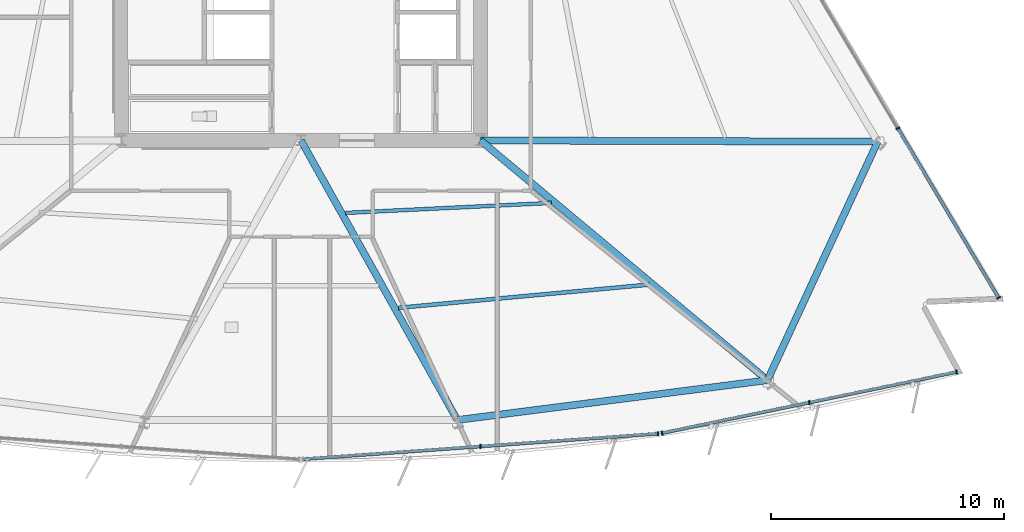
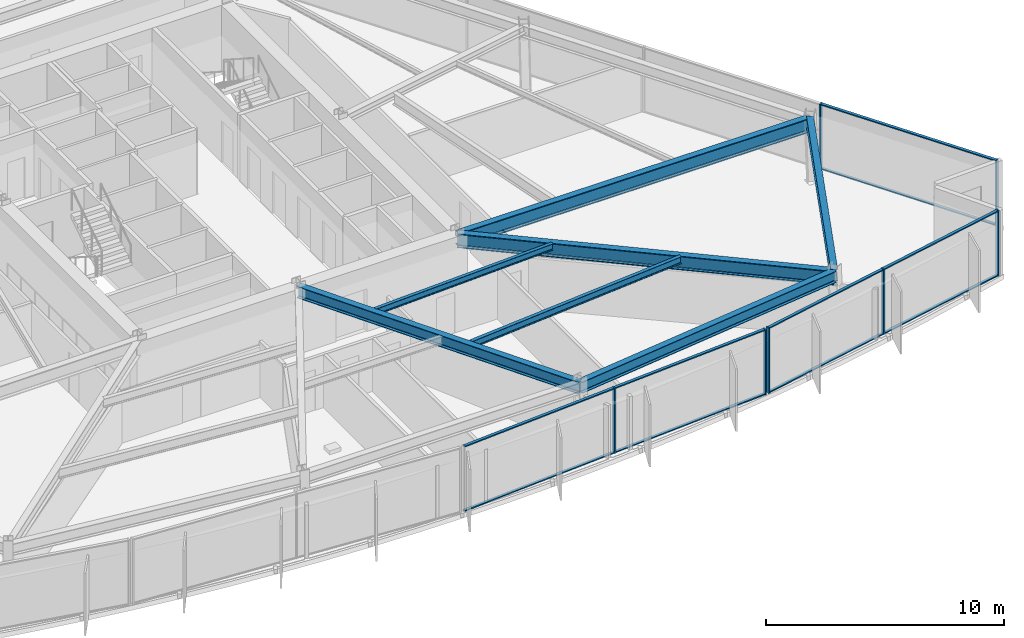
# One storey, part 5 of 18: 17 members, 7 beams, 3 elements without a shape of their own.
"""IFC4 building model written with IfcOpenShell, lengths in metres."""

from ifc_helpers import new_model, si_unit, direction, frame, origin, origin_2d, place, context, subcontext, project, spatial, rectangle, i_section, extrude, material, material_profile, profile_set, type_object, element, aggregate, save


model = new_model("IFC4")

# Units and contexts
model_context = context("Model", 3, precision=1e-05, world=origin(), true_north=direction((0.0, 1.0)))
body_context = subcontext(model_context, "Body", "Model", "MODEL_VIEW")
ifc_project = project(units=[si_unit("LENGTHUNIT", "METRE"), si_unit("AREAUNIT", "SQUARE_METRE"), si_unit("VOLUMEUNIT", "CUBIC_METRE"), si_unit("PLANEANGLEUNIT", "RADIAN"), si_unit("MASSUNIT", "GRAM", prefix="KILO")], contexts=[model_context])

# Site, building, storey
site_placement = place(None, origin())
site = spatial("IfcSite", under=ifc_project, at=site_placement, CompositionType="ELEMENT")
building_placement = place(site_placement, origin())
building = spatial("IfcBuilding", under=site, at=building_placement, Name="Savorim Split Tower", CompositionType="ELEMENT")
storey_placement = place(building_placement, frame((0.0, 0.0, 40.800048828125)))
storey = spatial("IfcBuildingStorey", under=building, at=storey_placement, Name="L10", CompositionType="ELEMENT", Elevation=40.800048828125)

# Beams
ifc_material_1 = material(Name="Steel S355", Category="steel")
ifc_material_profile_1 = material_profile(ifc_material_1, i_section(OverallWidth=0.159912109375, OverallDepth=0.330078125, WebThickness=0.007568359375, FlangeThickness=0.011474609375, FilletRadius=0.01806640625, at=origin_2d()), Name="IPE 330")
ifc_profile_set_1 = profile_set([ifc_material_profile_1], Name="Steel S355")
beam_type_1 = type_object("IfcBeamType", Name="BM-JST-IPE330", PredefinedType="JOIST", material=ifc_profile_set_1)
beam_1_placement = place(storey_placement, frame((1.903564453125, -12.510986328125, 3.18505859375), z_axis=(0.998826815505, 0.048425123932, 0.0), x_axis=(-0.048425123932, 0.998826815505, 0.0)))
element("IfcBeam", 1, at=beam_1_placement, inside=storey, type_object=beam_type_1, Name="L10 Secondary Floor Joist JS-05", PredefinedType="JOIST", context=body_context, shape_type="SweptSolid", body=[
    extrude(i_section(OverallWidth=0.159912109375, OverallDepth=0.330078125, WebThickness=0.007568359375, FlangeThickness=0.011474609375, FilletRadius=0.01806640625, at=origin_2d()), origin(), (0.0, 0.0, 1.0), 8.84814453125),
])
ifc_material_profile_2 = material_profile(ifc_material_1, i_section(OverallWidth=0.169921875, OverallDepth=0.360107421875, WebThickness=0.008056640625, FlangeThickness=0.0126953125, FilletRadius=0.01806640625, at=origin_2d()), Name="IPE 360")
ifc_profile_set_2 = profile_set([ifc_material_profile_2], Name="Steel S355")
beam_type_2 = type_object("IfcBeamType", Name="BM-JST-IPE360", PredefinedType="JOIST", material=ifc_profile_set_2)
beam_2_placement = place(storey_placement, frame((4.18359375, -16.582275390625, 3.169921875), z_axis=(0.995736133751, 0.092247232715, 0.0), x_axis=(-0.092247232715, 0.995736133751, 0.0)))
element("IfcBeam", 2, at=beam_2_placement, inside=storey, type_object=beam_type_2, Name="L10 Secondary Floor Joist JS-04", PredefinedType="JOIST", context=body_context, shape_type="SweptSolid", body=[
    extrude(i_section(OverallWidth=0.169921875, OverallDepth=0.360107421875, WebThickness=0.008056640625, FlangeThickness=0.0126953125, FilletRadius=0.01806640625, at=origin_2d()), origin(), (0.0, 0.0, 1.0), 10.7900390625),
])
ifc_material_profile_3 = material_profile(ifc_material_1, i_section(OverallWidth=0.300048828125, OverallDepth=0.60009765625, WebThickness=0.015380859375, FlangeThickness=0.030029296875, FilletRadius=0.027099609375, at=origin_2d()), Name="HEB 600")
ifc_profile_set_3 = profile_set([ifc_material_profile_3], Name="Steel S355")
beam_type_3 = type_object("IfcBeamType", Name="BM-PRI-HEB600", PredefinedType="BEAM", material=ifc_profile_set_3)
beam_3_placement = place(storey_placement, frame((6.70703125, -21.39501953125, 3.050048828125), z_axis=(-0.48803634808, 0.872823305688, 0.0), x_axis=(-0.872823305688, -0.48803634808, 0.0)))
element("IfcBeam", 3, at=beam_3_placement, inside=storey, type_object=beam_type_3, Name="L10 Primary Floor Girder RG-03", PredefinedType="BEAM", context=body_context, shape_type="SweptSolid", body=[
    extrude(i_section(OverallWidth=0.300048828125, OverallDepth=0.60009765625, WebThickness=0.015380859375, FlangeThickness=0.030029296875, FilletRadius=0.027099609375, at=origin_2d()), origin(), (0.0, 0.0, 1.0), 13.742919921875),
])
ifc_material_2 = material(Name="Steel S460", Category="steel")
ifc_material_profile_4 = material_profile(ifc_material_2, i_section(OverallWidth=0.303955078125, OverallDepth=0.716064453125, WebThickness=0.02099609375, FlangeThickness=0.0400390625, FilletRadius=0.027099609375, at=origin_2d()), Name="HE 700 M")
ifc_profile_set_4 = profile_set([ifc_material_profile_4], Name="Steel S460")
beam_type_4 = type_object("IfcBeamType", Name="BM-PRI-HEM700", PredefinedType="BEAM", material=ifc_profile_set_4)
beam_4_placement = place(storey_placement, frame((20.01171875, -19.68701171875, 2.991943359375), z_axis=(-0.767383682, 0.641188181894, 0.0), x_axis=(-0.641188181894, -0.767383682, 0.0)))
element("IfcBeam", 4, at=beam_4_placement, inside=storey, type_object=beam_type_4, Name="L10 Primary Floor Girder RG-04", PredefinedType="BEAM", context=body_context, shape_type="SweptSolid", body=[
    extrude(i_section(OverallWidth=0.303955078125, OverallDepth=0.716064453125, WebThickness=0.02099609375, FlangeThickness=0.0400390625, FilletRadius=0.027099609375, at=origin_2d()), origin(), (0.0, 0.0, 1.0), 16.043701171875),
])
beam_5_placement = place(storey_placement, frame((24.7421875, -9.455322265625, 2.991943359375), z_axis=(-0.999994712563, 0.003251898858, 0.0), x_axis=(-0.003251898858, -0.999994712563, 0.0)))
element("IfcBeam", 5, at=beam_5_placement, inside=storey, type_object=beam_type_4, Name="L10 Primary Floor Girder RG-05", PredefinedType="BEAM", context=body_context, shape_type="SweptSolid", body=[
    extrude(i_section(OverallWidth=0.303955078125, OverallDepth=0.716064453125, WebThickness=0.02099609375, FlangeThickness=0.0400390625, FilletRadius=0.027099609375, at=origin_2d()), origin(), (0.0, 0.0, 1.0), 17.042236328125),
])
ifc_material_profile_5 = material_profile(ifc_material_1, i_section(OverallWidth=0.300048828125, OverallDepth=0.590087890625, WebThickness=0.012939453125, FlangeThickness=0.02490234375, FilletRadius=0.027099609375, at=origin_2d()), Name="HEA 600")
ifc_profile_set_5 = profile_set([ifc_material_profile_5], Name="Steel S355")
beam_type_5 = type_object("IfcBeamType", Name="BM-SPN-HEA600", PredefinedType="SPANDREL", material=ifc_profile_set_5)
beam_6_placement = place(storey_placement, frame((6.70703125, -21.39501953125, 3.054931640625), z_axis=(0.991860224278, 0.127331439538, 0.0), x_axis=(-0.127331439538, 0.991860224278, 0.0)))
element("IfcBeam", 6, at=beam_6_placement, inside=storey, type_object=beam_type_5, Name="L10 Perimeter Spandrel Beam 3", PredefinedType="SPANDREL", context=body_context, shape_type="SweptSolid", body=[
    extrude(i_section(OverallWidth=0.300048828125, OverallDepth=0.590087890625, WebThickness=0.012939453125, FlangeThickness=0.02490234375, FilletRadius=0.027099609375, at=origin_2d()), origin(), (0.0, 0.0, 1.0), 13.413818359375),
])
beam_7_placement = place(storey_placement, frame((20.01171875, -19.68701171875, 3.054931640625), z_axis=(0.419654170019, 0.907684073665, 0.0), x_axis=(-0.907684073665, 0.419654170019, 0.0)))
element("IfcBeam", 7, at=beam_7_placement, inside=storey, type_object=beam_type_5, Name="L10 Perimeter Spandrel Beam 4", PredefinedType="SPANDREL", context=body_context, shape_type="SweptSolid", body=[
    extrude(i_section(OverallWidth=0.300048828125, OverallDepth=0.590087890625, WebThickness=0.012939453125, FlangeThickness=0.02490234375, FilletRadius=0.027099609375, at=origin_2d()), origin(), (0.0, 0.0, 1.0), 11.272216796875),
])

# Curtain wall, members
ifc_material_3 = material(Name="Dark Ceramic-Fritted Insulated Glass", Category="glass")
curtain_wall_type = type_object("IfcCurtainWallType", Name="CW-TWR-FRIT-A", PredefinedType="NOTDEFINED", material=ifc_material_3)
curtain_wall_1_placement = place(storey_placement, origin())
curtain_wall_1 = element("IfcCurtainWall", 8, at=curtain_wall_1_placement, inside=storey, type_object=curtain_wall_type, Name="L10 Curtain Wall CW-L10-SF3", PredefinedType="NOTDEFINED")
ifc_material_4 = material(Name="Charcoal Anodised Aluminium", Category="aluminium")
ifc_material_profile_6 = material_profile(ifc_material_4, rectangle(XDim=0.179931640625, YDim=0.06494140625, at=origin_2d()), Name="ALU-M 180x65")
ifc_profile_set_6 = profile_set([ifc_material_profile_6], Name="Charcoal Anodised Aluminium")
member_type_1 = type_object("IfcMemberType", Name="CWM-180x65", PredefinedType="MULLION", material=ifc_profile_set_6)
member_1_placement = place(storey_placement, frame((7.7021484375, -22.527099609375, 0.0), z_axis=(0.0, 0.0, 1.0), x_axis=(-0.071560199658, 0.997436282589, 0.0)))
member_1 = element("IfcMember", 9, at=member_1_placement, type_object=member_type_1, Name="CW-02 mullion 2", PredefinedType="MULLION", context=body_context, shape_type="SweptSolid", body=[
    extrude(rectangle(XDim=0.179931640625, YDim=0.06494140625, at=origin_2d()), origin(), (0.0, 0.0, 1.0), 3.349853515625),
])
member_2_placement = place(storey_placement, frame((15.320556640625, -21.98046875, 0.0), z_axis=(0.0, 0.0, 1.0), x_axis=(-0.071560199658, 0.997436282589, 0.0)))
member_2 = element("IfcMember", 10, at=member_2_placement, type_object=member_type_1, Name="CW-02 mullion 3", PredefinedType="MULLION", context=body_context, shape_type="SweptSolid", body=[
    extrude(rectangle(XDim=0.179931640625, YDim=0.06494140625, at=origin_2d()), origin(), (0.0, 0.0, 1.0), 3.349853515625),
])

curtain_wall_2_placement = place(storey_placement, origin())
curtain_wall_2 = element("IfcCurtainWall", 11, at=curtain_wall_2_placement, inside=storey, type_object=curtain_wall_type, Name="L10 Curtain Wall CW-L10-SF4", PredefinedType="NOTDEFINED")
member_3_placement = place(storey_placement, frame((15.487548828125, -21.957275390625, 0.0), z_axis=(0.0, 0.0, 1.0), x_axis=(-0.203210322793, 0.979135110549, 0.0)))
member_3 = element("IfcMember", 12, at=member_3_placement, type_object=member_type_1, Name="CW-02 mullion 1", PredefinedType="MULLION", context=body_context, shape_type="SweptSolid", body=[
    extrude(rectangle(XDim=0.179931640625, YDim=0.06494140625, at=origin_2d()), origin(), (0.0, 0.0, 1.0), 3.349853515625),
])
member_4_placement = place(storey_placement, frame((21.807861328125, -20.6455078125, 0.0), z_axis=(0.0, 0.0, 1.0), x_axis=(-0.203210322793, 0.979135110549, 0.0)))
member_4 = element("IfcMember", 13, at=member_4_placement, type_object=member_type_1, Name="CW-02 mullion 2", PredefinedType="MULLION", context=body_context, shape_type="SweptSolid", body=[
    extrude(rectangle(XDim=0.179931640625, YDim=0.06494140625, at=origin_2d()), origin(), (0.0, 0.0, 1.0), 3.349853515625),
])
member_5_placement = place(storey_placement, frame((28.12841796875, -19.333740234375, 0.0), z_axis=(0.0, 0.0, 1.0), x_axis=(-0.203210322793, 0.979135110549, 0.0)))
member_5 = element("IfcMember", 14, at=member_5_placement, type_object=member_type_1, Name="CW-02 mullion 3", PredefinedType="MULLION", context=body_context, shape_type="SweptSolid", body=[
    extrude(rectangle(XDim=0.179931640625, YDim=0.06494140625, at=origin_2d()), origin(), (0.0, 0.0, 1.0), 3.349853515625),
])

curtain_wall_3_placement = place(storey_placement, origin())
curtain_wall_3 = element("IfcCurtainWall", 15, at=curtain_wall_3_placement, inside=storey, type_object=curtain_wall_type, Name="L10 Curtain Wall CW-L10-EAST", PredefinedType="NOTDEFINED")
member_6_placement = place(storey_placement, frame((29.927978515625, -16.14990234375, 0.0), z_axis=(0.0, 0.0, 1.0), x_axis=(-0.859525752007, -0.511092439425, 0.0)))
member_6 = element("IfcMember", 16, at=member_6_placement, type_object=member_type_1, Name="CW-02 mullion 1", PredefinedType="MULLION", context=body_context, shape_type="SweptSolid", body=[
    extrude(rectangle(XDim=0.179931640625, YDim=0.06494140625, at=origin_2d()), origin(), (0.0, 0.0, 1.0), 3.349853515625),
])
member_7_placement = place(storey_placement, frame((25.604248046875, -8.878662109375, 0.0), z_axis=(0.0, 0.0, 1.0), x_axis=(-0.859525752007, -0.511092439425, 0.0)))
member_7 = element("IfcMember", 17, at=member_7_placement, type_object=member_type_1, Name="CW-02 mullion 2", PredefinedType="MULLION", context=body_context, shape_type="SweptSolid", body=[
    extrude(rectangle(XDim=0.179931640625, YDim=0.06494140625, at=origin_2d()), origin(), (0.0, 0.0, 1.0), 3.349853515625),
])

# Member
ifc_material_profile_7 = material_profile(ifc_material_4, rectangle(XDim=0.139892578125, YDim=0.054931640625, at=origin_2d()), Name="ALU-T 140x55")
ifc_profile_set_7 = profile_set([ifc_material_profile_7], Name="Charcoal Anodised Aluminium")
member_type_2 = type_object("IfcMemberType", Name="CWT-140x55", PredefinedType="USERDEFINED", material=ifc_profile_set_7)
member_8_placement = place(storey_placement, frame((0.1162109375, -23.0712890625, 0.02734375), z_axis=(0.997437873969, 0.071538014879, 0.0), x_axis=(-0.071538014879, 0.997437873969, 0.0)))
member_8 = element("IfcMember", 18, at=member_8_placement, type_object=member_type_2, Name="CW-02 transom 1.1", ObjectType="TRANSOM", PredefinedType="USERDEFINED", context=body_context, shape_type="SweptSolid", body=[
    extrude(rectangle(XDim=0.139892578125, YDim=0.054931640625, at=origin_2d()), origin(), (0.0, 0.0, 1.0), 7.57275390625),
])

member_9_placement = place(storey_placement, frame((0.1162109375, -23.0712890625, 3.322509765625), z_axis=(0.997437873969, 0.071538014879, 0.0), x_axis=(-0.071538014879, 0.997437873969, 0.0)))
member_9 = element("IfcMember", 19, at=member_9_placement, type_object=member_type_2, Name="CW-02 transom 1.2", ObjectType="TRANSOM", PredefinedType="USERDEFINED", context=body_context, shape_type="SweptSolid", body=[
    extrude(rectangle(XDim=0.139892578125, YDim=0.054931640625, at=origin_2d()), origin(), (0.0, 0.0, 1.0), 7.57275390625),
])

member_10_placement = place(storey_placement, frame((7.734619140625, -22.524658203125, 0.02734375), z_axis=(0.997437873969, 0.071538014879, 0.0), x_axis=(-0.071538014879, 0.997437873969, 0.0)))
member_10 = element("IfcMember", 20, at=member_10_placement, type_object=member_type_2, Name="CW-02 transom 2.1", ObjectType="TRANSOM", PredefinedType="USERDEFINED", context=body_context, shape_type="SweptSolid", body=[
    extrude(rectangle(XDim=0.139892578125, YDim=0.054931640625, at=origin_2d()), origin(), (0.0, 0.0, 1.0), 7.57275390625),
])

member_11_placement = place(storey_placement, frame((7.734619140625, -22.524658203125, 3.322509765625), z_axis=(0.997437873969, 0.071538014879, 0.0), x_axis=(-0.071538014879, 0.997437873969, 0.0)))
member_11 = element("IfcMember", 21, at=member_11_placement, type_object=member_type_2, Name="CW-02 transom 2.2", ObjectType="TRANSOM", PredefinedType="USERDEFINED", context=body_context, shape_type="SweptSolid", body=[
    extrude(rectangle(XDim=0.139892578125, YDim=0.054931640625, at=origin_2d()), origin(), (0.0, 0.0, 1.0), 7.57275390625),
])

aggregate(curtain_wall_1, [member_1, member_2, member_8, member_9, member_10, member_11])

member_12_placement = place(storey_placement, frame((15.519287109375, -21.95068359375, 0.02734375), z_axis=(0.979133980901, 0.203215765741, 0.0), x_axis=(-0.203215765741, 0.979133980901, 0.0)))
member_12 = element("IfcMember", 22, at=member_12_placement, type_object=member_type_2, Name="CW-02 transom 1.1", ObjectType="TRANSOM", PredefinedType="USERDEFINED", context=body_context, shape_type="SweptSolid", body=[
    extrude(rectangle(XDim=0.139892578125, YDim=0.054931640625, at=origin_2d()), origin(), (0.0, 0.0, 1.0), 6.39013671875),
])

member_13_placement = place(storey_placement, frame((15.519287109375, -21.95068359375, 3.322509765625), z_axis=(0.979133980901, 0.203215765741, 0.0), x_axis=(-0.203215765741, 0.979133980901, 0.0)))
member_13 = element("IfcMember", 23, at=member_13_placement, type_object=member_type_2, Name="CW-02 transom 1.2", ObjectType="TRANSOM", PredefinedType="USERDEFINED", context=body_context, shape_type="SweptSolid", body=[
    extrude(rectangle(XDim=0.139892578125, YDim=0.054931640625, at=origin_2d()), origin(), (0.0, 0.0, 1.0), 6.39013671875),
])

member_14_placement = place(storey_placement, frame((21.83984375, -20.638916015625, 0.02734375), z_axis=(0.979132403047, 0.203223368003, 0.0), x_axis=(-0.203223368003, 0.979132403047, 0.0)))
member_14 = element("IfcMember", 24, at=member_14_placement, type_object=member_type_2, Name="CW-02 transom 2.1", ObjectType="TRANSOM", PredefinedType="USERDEFINED", context=body_context, shape_type="SweptSolid", body=[
    extrude(rectangle(XDim=0.139892578125, YDim=0.054931640625, at=origin_2d()), origin(), (0.0, 0.0, 1.0), 6.389892578125),
])

member_15_placement = place(storey_placement, frame((21.83984375, -20.638916015625, 3.322509765625), z_axis=(0.979132403047, 0.203223368003, 0.0), x_axis=(-0.203223368003, 0.979132403047, 0.0)))
member_15 = element("IfcMember", 25, at=member_15_placement, type_object=member_type_2, Name="CW-02 transom 2.2", ObjectType="TRANSOM", PredefinedType="USERDEFINED", context=body_context, shape_type="SweptSolid", body=[
    extrude(rectangle(XDim=0.139892578125, YDim=0.054931640625, at=origin_2d()), origin(), (0.0, 0.0, 1.0), 6.389892578125),
])

aggregate(curtain_wall_2, [member_3, member_4, member_5, member_12, member_13, member_14, member_15])

member_16_placement = place(storey_placement, frame((29.911376953125, -16.1220703125, 0.02734375), z_axis=(-0.511091652485, 0.859526219938, 0.0), x_axis=(-0.859526219938, -0.511091652485, 0.0)))
member_16 = element("IfcMember", 26, at=member_16_placement, type_object=member_type_2, Name="CW-02 transom 1.1", ObjectType="TRANSOM", PredefinedType="USERDEFINED", context=body_context, shape_type="SweptSolid", body=[
    extrude(rectangle(XDim=0.139892578125, YDim=0.054931640625, at=origin_2d()), origin(), (0.0, 0.0, 1.0), 8.394775390625),
])

member_17_placement = place(storey_placement, frame((29.911376953125, -16.1220703125, 3.322509765625), z_axis=(-0.511091652485, 0.859526219938, 0.0), x_axis=(-0.859526219938, -0.511091652485, 0.0)))
member_17 = element("IfcMember", 27, at=member_17_placement, type_object=member_type_2, Name="CW-02 transom 1.2", ObjectType="TRANSOM", PredefinedType="USERDEFINED", context=body_context, shape_type="SweptSolid", body=[
    extrude(rectangle(XDim=0.139892578125, YDim=0.054931640625, at=origin_2d()), origin(), (0.0, 0.0, 1.0), 8.394775390625),
])

aggregate(curtain_wall_3, [member_6, member_7, member_16, member_17])

save(model, "model.ifc")
